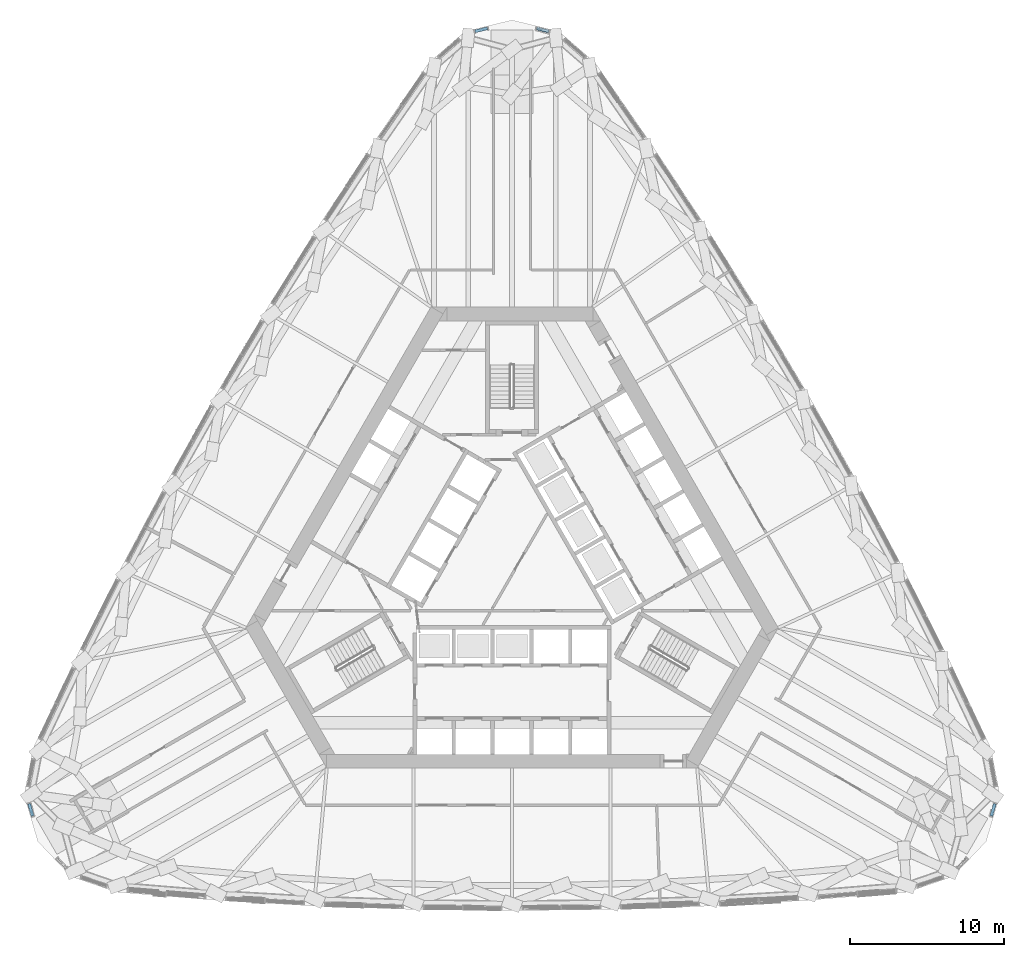
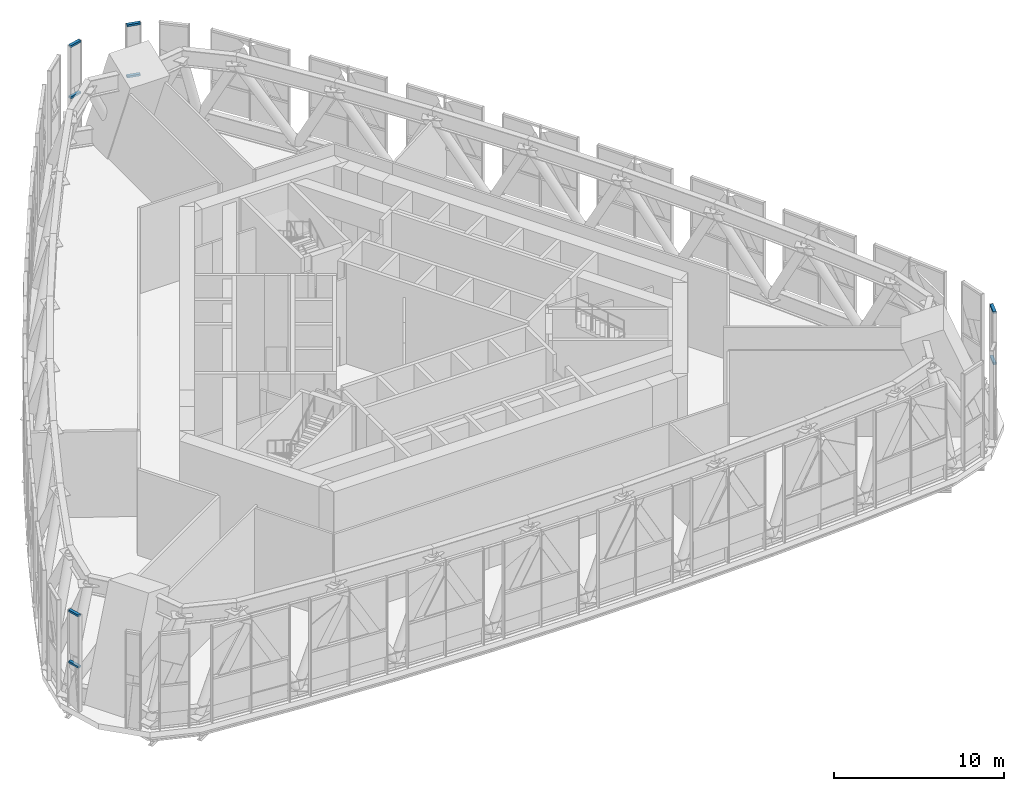
# One storey, part 11 of 33: 8 members, 3 elements without a shape of their own.
"""IFC4 building model written with IfcOpenShell, lengths in metres."""

from ifc_helpers import new_model, si_unit, direction, frame, origin, origin_2d, place, context, subcontext, project, spatial, rectangle, extrude, material, material_profile, profile_set, type_object, element, aggregate, save


model = new_model("IFC4")

# Units and contexts
model_context = context("Model", 3, precision=1e-05, world=origin(), true_north=direction((0.0, 1.0)))
body_context = subcontext(model_context, "Body", "Model", "MODEL_VIEW")
ifc_project = project(units=[si_unit("LENGTHUNIT", "METRE"), si_unit("AREAUNIT", "SQUARE_METRE"), si_unit("VOLUMEUNIT", "CUBIC_METRE"), si_unit("PLANEANGLEUNIT", "RADIAN"), si_unit("MASSUNIT", "GRAM", prefix="KILO")], contexts=[model_context])

# Site, building, storey
site_placement = place(None, origin())
site = spatial("IfcSite", under=ifc_project, at=site_placement, CompositionType="ELEMENT")
building_placement = place(site_placement, origin())
building = spatial("IfcBuilding", under=site, at=building_placement, Name="Mestral Congress Tower", CompositionType="ELEMENT")
storey_placement = place(building_placement, frame((0.0, 0.0, 134.39990234375)))
storey = spatial("IfcBuildingStorey", under=building, at=storey_placement, Name="L32", CompositionType="ELEMENT", Elevation=134.39990234375)

# Curtain wall, members
ifc_material_1 = material(Name="Clear low-emissivity double glazing", Category="glass")
curtain_wall_type = type_object("IfcCurtainWallType", Name="Facade sky lobby curtain wall", PredefinedType="USERDEFINED", material=ifc_material_1)
placement = place(storey_placement, origin())
curtain_wall_1 = element("IfcCurtainWall", 1, at=placement, inside=storey, type_object=curtain_wall_type, Name="Facade sky lobby curtain wall corner 1", ObjectType="CURTAIN WALL", PredefinedType="USERDEFINED")
ifc_material_2 = material(Name="Anodised aluminium", Category="aluminium")
ifc_material_profile = material_profile(ifc_material_2, rectangle(XDim=0.199951171875, YDim=0.139892578125, at=origin_2d()), Name="CW1 transom 200 x 140")
ifc_profile_set = profile_set([ifc_material_profile], Name="Anodised aluminium")
member_type = type_object("IfcMemberType", Name="Facade sky lobby curtain wall transom", PredefinedType="USERDEFINED", material=ifc_profile_set)
member_1_placement = place(storey_placement, frame((31.081298828125, -16.106201171875, 3.2001953125), z_axis=(0.281303241484, 0.959618927664, 0.0), x_axis=(-0.959618927664, 0.281303241484, 0.0)))
member_1 = element("IfcMember", 2, at=member_1_placement, type_object=member_type, Name="Facade sky lobby curtain wall transom", ObjectType="TRANSOM", PredefinedType="USERDEFINED", context=body_context, shape_type="SweptSolid", body=[
    extrude(rectangle(XDim=0.199951171875, YDim=0.139892578125, at=origin_2d()), origin(), (0.0, 0.0, 1.0), 0.8271484375),
])
member_2_placement = place(storey_placement, frame((31.081298828125, -16.106201171875, 6.880126953125), z_axis=(0.281303241484, 0.959618927664, 0.0), x_axis=(-0.959618927664, 0.281303241484, 0.0)))
member_2 = element("IfcMember", 3, at=member_2_placement, type_object=member_type, Name="Facade sky lobby curtain wall transom", ObjectType="TRANSOM", PredefinedType="USERDEFINED", context=body_context, shape_type="SweptSolid", body=[
    extrude(rectangle(XDim=0.199951171875, YDim=0.139892578125, at=origin_2d()), origin(), (0.0, 0.0, 1.0), 0.8271484375),
])
aggregate(curtain_wall_1, [member_1, member_2])

curtain_wall_2 = element("IfcCurtainWall", 4, at=placement, inside=storey, type_object=curtain_wall_type, Name="Facade sky lobby curtain wall corner 2", ObjectType="CURTAIN WALL", PredefinedType="USERDEFINED")
member_3_placement = place(storey_placement, frame((2.39599609375, 34.77490234375, 3.2001953125), z_axis=(-0.971718879801, 0.236140675529, 0.0), x_axis=(-0.236140675529, -0.971718879801, 0.0)))
member_3 = element("IfcMember", 5, at=member_3_placement, type_object=member_type, Name="Facade sky lobby curtain wall transom", ObjectType="TRANSOM", PredefinedType="USERDEFINED", context=body_context, shape_type="SweptSolid", body=[
    extrude(rectangle(XDim=0.199951171875, YDim=0.139892578125, at=origin_2d()), origin(), (0.0, 0.0, 1.0), 0.8271484375),
])
member_4_placement = place(storey_placement, frame((2.39599609375, 34.77490234375, 6.880126953125), z_axis=(-0.971718879801, 0.236140675529, 0.0), x_axis=(-0.236140675529, -0.971718879801, 0.0)))
member_4 = element("IfcMember", 6, at=member_4_placement, type_object=member_type, Name="Facade sky lobby curtain wall transom", ObjectType="TRANSOM", PredefinedType="USERDEFINED", context=body_context, shape_type="SweptSolid", body=[
    extrude(rectangle(XDim=0.199951171875, YDim=0.139892578125, at=origin_2d()), origin(), (0.0, 0.0, 1.0), 0.8271484375),
])
member_5_placement = place(storey_placement, frame((-1.59228515625, 34.97021484375, 3.2001953125), z_axis=(-0.971718879801, -0.236140675529, 0.0), x_axis=(0.236140675529, -0.971718879801, 0.0)))
member_5 = element("IfcMember", 7, at=member_5_placement, type_object=member_type, Name="Facade sky lobby curtain wall transom", ObjectType="TRANSOM", PredefinedType="USERDEFINED", context=body_context, shape_type="SweptSolid", body=[
    extrude(rectangle(XDim=0.199951171875, YDim=0.139892578125, at=origin_2d()), origin(), (0.0, 0.0, 1.0), 0.8271484375),
])
member_6_placement = place(storey_placement, frame((-1.59228515625, 34.97021484375, 6.880126953125), z_axis=(-0.971718879801, -0.236140675529, 0.0), x_axis=(0.236140675529, -0.971718879801, 0.0)))
member_6 = element("IfcMember", 8, at=member_6_placement, type_object=member_type, Name="Facade sky lobby curtain wall transom", ObjectType="TRANSOM", PredefinedType="USERDEFINED", context=body_context, shape_type="SweptSolid", body=[
    extrude(rectangle(XDim=0.199951171875, YDim=0.139892578125, at=origin_2d()), origin(), (0.0, 0.0, 1.0), 0.8271484375),
])
aggregate(curtain_wall_2, [member_3, member_4, member_5, member_6])

curtain_wall_3 = element("IfcCurtainWall", 9, at=placement, inside=storey, type_object=curtain_wall_type, Name="Facade sky lobby curtain wall corner 3", ObjectType="CURTAIN WALL", PredefinedType="USERDEFINED")
member_7_placement = place(storey_placement, frame((-31.31396484375, -15.3125, 3.2001953125), z_axis=(0.281303241484, -0.959618927664, 0.0), x_axis=(0.959618927664, 0.281303241484, 0.0)))
member_7 = element("IfcMember", 10, at=member_7_placement, type_object=member_type, Name="Facade sky lobby curtain wall transom", ObjectType="TRANSOM", PredefinedType="USERDEFINED", context=body_context, shape_type="SweptSolid", body=[
    extrude(rectangle(XDim=0.199951171875, YDim=0.139892578125, at=origin_2d()), origin(), (0.0, 0.0, 1.0), 0.8271484375),
])
member_8_placement = place(storey_placement, frame((-31.31396484375, -15.3125, 6.880126953125), z_axis=(0.281303241484, -0.959618927664, 0.0), x_axis=(0.959618927664, 0.281303241484, 0.0)))
member_8 = element("IfcMember", 11, at=member_8_placement, type_object=member_type, Name="Facade sky lobby curtain wall transom", ObjectType="TRANSOM", PredefinedType="USERDEFINED", context=body_context, shape_type="SweptSolid", body=[
    extrude(rectangle(XDim=0.199951171875, YDim=0.139892578125, at=origin_2d()), origin(), (0.0, 0.0, 1.0), 0.8271484375),
])
aggregate(curtain_wall_3, [member_7, member_8])

save(model, "model.ifc")
